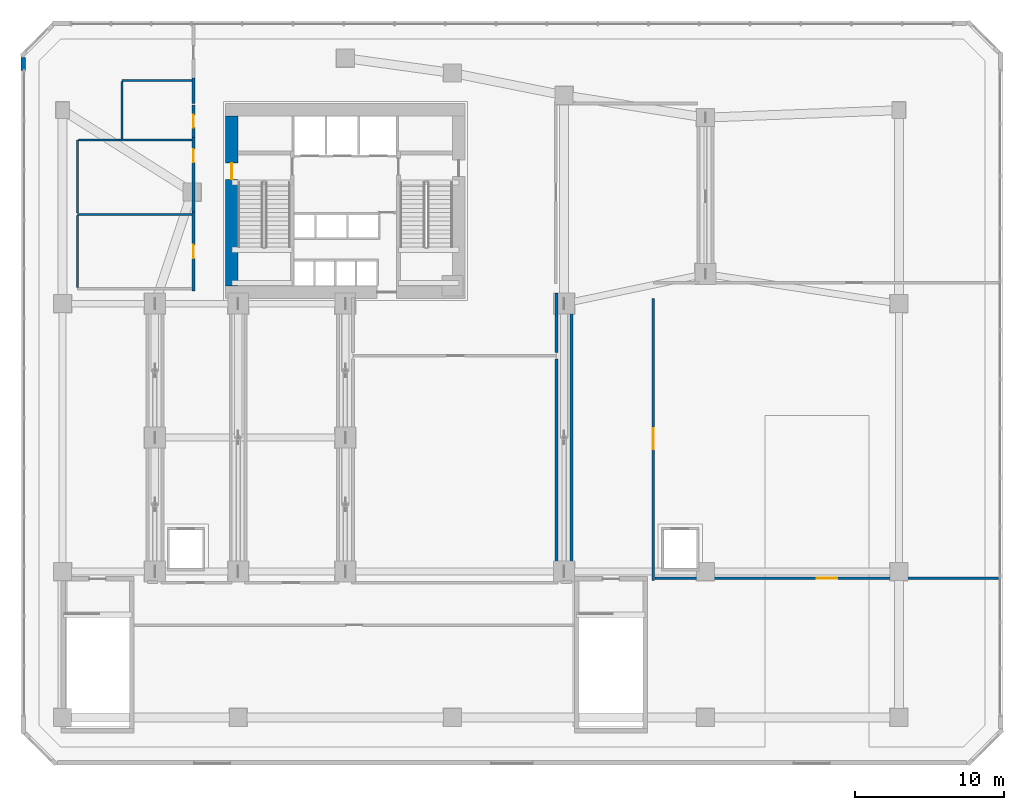
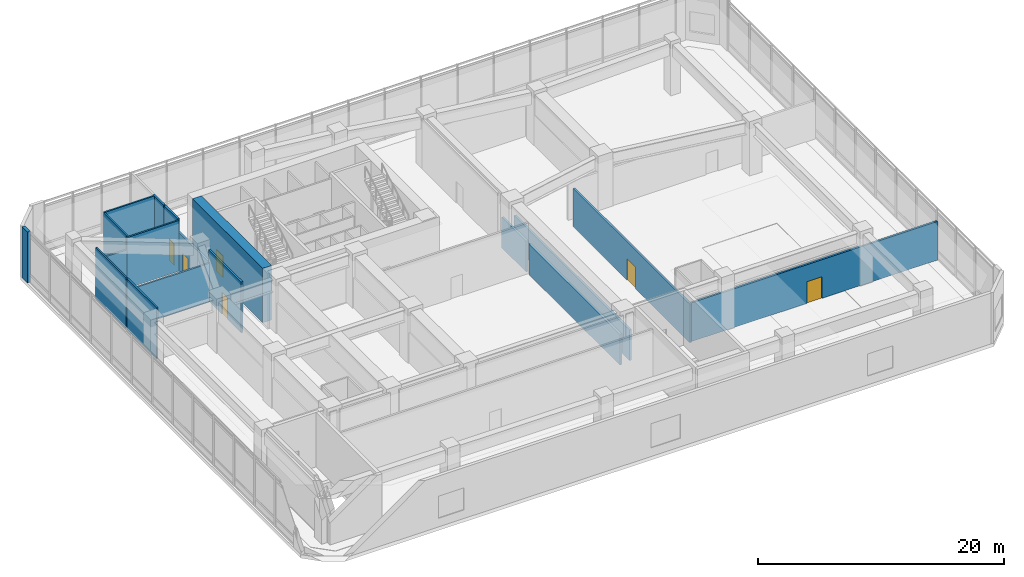
# One storey, part 17 of 21: 18 walls, 6 doors, 6 openings.
"""IFC4 building model written with IfcOpenShell, lengths in metres."""

from ifc_helpers import new_model, si_unit, direction, frame, frame_2d, origin, place, context, subcontext, project, spatial, rectangle, extrude, source, transform, mapped, material, layer, layer_set, type_object, element, fill, save


model = new_model("IFC4")

# Units and contexts
model_context = context("Model", 3, precision=1e-05, world=origin(), true_north=direction((0.0, 1.0)))
body_context = subcontext(model_context, "Body", "Model", "MODEL_VIEW")
ifc_project = project(units=[si_unit("LENGTHUNIT", "METRE"), si_unit("AREAUNIT", "SQUARE_METRE"), si_unit("VOLUMEUNIT", "CUBIC_METRE"), si_unit("PLANEANGLEUNIT", "RADIAN"), si_unit("MASSUNIT", "GRAM", prefix="KILO")], contexts=[model_context])

# Site, building, storey
site_placement = place(None, origin())
site = spatial("IfcSite", under=ifc_project, at=site_placement, CompositionType="ELEMENT")
building_placement = place(site_placement, origin())
building = spatial("IfcBuilding", under=site, at=building_placement, Name="Calvemar Wedge Station Tower", CompositionType="ELEMENT")
storey_placement = place(building_placement, frame((0.0, 0.0, 21.60009765625)))
storey = spatial("IfcBuildingStorey", under=building, at=storey_placement, Name="L05", CompositionType="ELEMENT", Elevation=21.60009765625)

# Wall, opening, door
ifc_material_1 = material(Name="Concrete C80", Category="concrete")
ifc_layer_1 = layer(ifc_material_1, 0.85009765625)
ifc_layer_set_1 = layer_set([ifc_layer_1], Name="Concrete C80")
wall_type_1 = type_object("IfcWallType", Name="SW-CORE-850", PredefinedType="SHEAR", material=ifc_layer_set_1)
wall_1_placement = place(storey_placement, frame((16.175048828125, 34.199951171875, 0.0), z_axis=(0.0, 0.0, 1.0), x_axis=(0.0, 1.0, 0.0)))
wall_1 = element("IfcWall", 1, at=wall_1_placement, inside=storey, type_object=wall_type_1, Name="Storey L05 Core Shear Wall W", PredefinedType="SHEAR", context=body_context, shape_type="SweptSolid", body=[
    extrude(rectangle(XDim=11.400146484375, YDim=0.85009765625, at=frame_2d((5.7001953125, 0.0))), origin(), (0.0, 0.0, 1.0), 5.39990234375),
])
shared_shape_1 = source(origin(), body_context, "Body", "SweptSolid", [
    extrude(rectangle(XDim=1.10009765625, YDim=2.14990234375, at=frame_2d((0.550048828125, 1.074951171875))), frame((0.0, 0.43505859375, 0.0), z_axis=(0.0, -1.0, 0.0), x_axis=(1.0, 0.0, 0.0)), (0.0, 0.0, 1.0), 0.8701171875),
])
opening_1_placement = place(wall_1_placement, frame((7.14990234375, 0.0, 0.0)))
opening_1 = element("IfcOpeningElement", 2, at=opening_1_placement, cuts=wall_1, Name="Opening FD-90", PredefinedType="OPENING", context=body_context, shape_type="MappedRepresentation", body=[
    mapped(shared_shape_1, transform((0.0, 0.0, 0.0), scale=1.0)),
])
ifc_material_2 = material(Name="Galvanized fire-rated steel door leaf P-90", Category="steel")
door_type_1 = type_object("IfcDoorType", Name="DR-FD90-1100", OperationType="NOTDEFINED", PredefinedType="DOOR", material=ifc_material_2)
shared_shape_2 = source(origin(), body_context, "Body", "SweptSolid", [
    extrude(rectangle(XDim=1.10009765625, YDim=2.14990234375, at=frame_2d((0.550048828125, 1.074951171875))), frame((0.0, 0.02490234375, 0.0), z_axis=(0.0, -1.0, 0.0), x_axis=(1.0, 0.0, 0.0)), (0.0, 0.0, 1.0), 0.050048828125),
])
door_1_placement = place(opening_1_placement, origin())
door_1 = element("IfcDoor", 3, at=door_1_placement, inside=storey, type_object=door_type_1, Name="L05 West Corridor to Exit Stair ST-C1 Door", OperationType="SINGLE_SWING_RIGHT", OverallHeight=2.14990234375, OverallWidth=1.10009765625, PredefinedType="DOOR", context=body_context, shape_type="MappedRepresentation", body=[
    mapped(shared_shape_2, transform((0.0, 0.0, 0.0), scale=1.0)),
])
fill(opening_1, door_1)

ifc_material_3 = material(Name="Double-stud fire-rated corridor partition")
ifc_layer_2 = layer(ifc_material_3, 0.179931640625)
ifc_layer_set_2 = layer_set([ifc_layer_2], Name="Double-stud fire-rated corridor partition")
wall_type_2 = type_object("IfcWallType", Name="W-CORR-180", PredefinedType="PARTITIONING", material=ifc_layer_set_2)
wall_2_placement = place(storey_placement, frame((44.5, 33.35009765625, 0.0), z_axis=(0.0, 0.0, 1.0), x_axis=(0.0, -1.0, 0.0)))
wall_2 = element("IfcWall", 4, at=wall_2_placement, inside=storey, type_object=wall_type_2, Name="Storey L05 Interior Partition WL-L05-007", PredefinedType="PARTITIONING", context=body_context, shape_type="SweptSolid", body=[
    extrude(rectangle(XDim=18.960205078125, YDim=0.179931640625, at=frame_2d((9.47998046875, 0.0))), origin(), (0.0, 0.0, 1.0), 3.822021484375),
])
shared_shape_3 = source(origin(), body_context, "Body", "SweptSolid", [
    extrude(rectangle(XDim=1.39990234375, YDim=2.14990234375, at=frame_2d((0.699951171875, 1.074951171875))), frame((0.0, 0.10009765625, 0.0), z_axis=(0.0, -1.0, 0.0), x_axis=(1.0, 0.0, 0.0)), (0.0, 0.0, 1.0), 0.199951171875),
])
opening_2_placement = place(wall_2_placement, frame((8.7197265625, 0.0, 0.0)))
opening_2 = element("IfcOpeningElement", 5, at=opening_2_placement, cuts=wall_2, Name="Opening DD-140", PredefinedType="OPENING", context=body_context, shape_type="MappedRepresentation", body=[
    mapped(shared_shape_3, transform((0.0, 0.0, 0.0), scale=1.0)),
])
ifc_material_4 = material(Name="Double-leaf corridor acoustic fire door EI 60")
door_type_2 = type_object("IfcDoorType", Name="DR-DBL-1400", OperationType="DOUBLE_DOOR_SINGLE_SWING", PredefinedType="DOOR", material=ifc_material_4)
shared_shape_4 = source(origin(), body_context, "Body", "SweptSolid", [
    extrude(rectangle(XDim=1.39990234375, YDim=2.14990234375, at=frame_2d((0.699951171875, 1.074951171875))), frame((0.0, 0.02490234375, 0.0), z_axis=(0.0, -1.0, 0.0), x_axis=(1.0, 0.0, 0.0)), (0.0, 0.0, 1.0), 0.050048828125),
])
door_2_placement = place(opening_2_placement, origin())
door_2 = element("IfcDoor", 6, at=door_2_placement, inside=storey, type_object=door_type_2, Name="L05 Wellness Fitness Hall Door", OperationType="SINGLE_SWING_LEFT", OverallHeight=2.14990234375, OverallWidth=1.39990234375, PredefinedType="DOOR", context=body_context, shape_type="MappedRepresentation", body=[
    mapped(shared_shape_4, transform((0.0, 0.0, 0.0), scale=1.0)),
])
fill(opening_2, door_2)

# Wall
wall_3_placement = place(storey_placement, frame((13.60009765625, 46.449951171875, 0.0), z_axis=(0.0, 0.0, 1.0), x_axis=(0.0, 1.0, 0.0)))
element("IfcWall", 7, at=wall_3_placement, inside=storey, type_object=wall_type_2, Name="Storey L05 Interior Partition WL-L05-009", PredefinedType="PARTITIONING", context=body_context, shape_type="SweptSolid", body=[
    extrude(rectangle(XDim=1.7099609375, YDim=0.179931640625, at=frame_2d((0.85498046875, 0.0))), origin(), (0.0, 0.0, 1.0), 5.0498046875),
])

# Wall, opening, door
wall_4_placement = place(storey_placement, frame((13.60009765625, 33.840087890625, 0.0), z_axis=(0.0, 0.0, 1.0), x_axis=(0.0, 1.0, 0.0)))
wall_4 = element("IfcWall", 8, at=wall_4_placement, inside=storey, type_object=wall_type_2, Name="Storey L05 Interior Partition WL-L05-012", PredefinedType="PARTITIONING", context=body_context, shape_type="SweptSolid", body=[
    extrude(rectangle(XDim=5.31982421875, YDim=0.179931640625, at=frame_2d((2.659912109375, 0.0))), origin(), (0.0, 0.0, 1.0), 5.0498046875),
])
shared_shape_5 = source(origin(), body_context, "Body", "SweptSolid", [
    extrude(rectangle(XDim=0.89990234375, YDim=2.14990234375, at=frame_2d((0.449951171875, 1.074951171875))), frame((0.0, 0.10009765625, 0.0), z_axis=(0.0, -1.0, 0.0), x_axis=(1.0, 0.0, 0.0)), (0.0, 0.0, 1.0), 0.199951171875),
])
opening_3_placement = place(wall_4_placement, frame((2.2099609375, 0.0, 0.0)))
opening_3 = element("IfcOpeningElement", 9, at=opening_3_placement, cuts=wall_4, Name="Opening D-01", PredefinedType="OPENING", context=body_context, shape_type="MappedRepresentation", body=[
    mapped(shared_shape_5, transform((0.0, 0.0, 0.0), scale=1.0)),
])
ifc_material_5 = material(Name="Architectural hardwood acoustic swing door", Category="wood")
door_type_3 = type_object("IfcDoorType", Name="DR-INT-900", OperationType="NOTDEFINED", PredefinedType="DOOR", material=ifc_material_5)
shared_shape_6 = source(origin(), body_context, "Body", "SweptSolid", [
    extrude(rectangle(XDim=0.89990234375, YDim=2.14990234375, at=frame_2d((0.449951171875, 1.074951171875))), frame((0.0, 0.02490234375, 0.0), z_axis=(0.0, -1.0, 0.0), x_axis=(1.0, 0.0, 0.0)), (0.0, 0.0, 1.0), 0.050048828125),
])
door_3_placement = place(opening_3_placement, origin())
door_3 = element("IfcDoor", 10, at=door_3_placement, inside=storey, type_object=door_type_3, Name="L05 Male Toilet Door", OperationType="SINGLE_SWING_LEFT", OverallHeight=2.14990234375, OverallWidth=0.89990234375, PredefinedType="DOOR", context=body_context, shape_type="MappedRepresentation", body=[
    mapped(shared_shape_6, transform((0.0, 0.0, 0.0), scale=1.0)),
])
fill(opening_3, door_3)

wall_5_placement = place(storey_placement, frame((13.60009765625, 39.162109375, 0.0), z_axis=(0.0, 0.0, 1.0), x_axis=(0.0, 1.0, 0.0)))
wall_5 = element("IfcWall", 11, at=wall_5_placement, inside=storey, type_object=wall_type_2, Name="Storey L05 Interior Partition WL-L05-013", PredefinedType="PARTITIONING", context=body_context, shape_type="SweptSolid", body=[
    extrude(rectangle(XDim=4.997802734375, YDim=0.179931640625, at=frame_2d((2.4990234375, 0.0))), origin(), (0.0, 0.0, 1.0), 3.841796875),
])
opening_4_placement = place(wall_5_placement, frame((3.330078125, 0.0, 0.0)))
opening_4 = element("IfcOpeningElement", 12, at=opening_4_placement, cuts=wall_5, Name="Opening D-01", PredefinedType="OPENING", context=body_context, shape_type="MappedRepresentation", body=[
    mapped(shared_shape_5, transform((0.0, 0.0, 0.0), scale=1.0)),
])
door_4_placement = place(opening_4_placement, origin())
door_4 = element("IfcDoor", 13, at=door_4_placement, inside=storey, type_object=door_type_3, Name="L05 Female Toilet Door", OperationType="SINGLE_SWING_RIGHT", OverallHeight=2.14990234375, OverallWidth=0.89990234375, PredefinedType="DOOR", context=body_context, shape_type="MappedRepresentation", body=[
    mapped(shared_shape_6, transform((0.0, 0.0, 0.0), scale=1.0)),
])
fill(opening_4, door_4)

wall_6_placement = place(storey_placement, frame((13.60009765625, 44.162109375, 0.0), z_axis=(0.0, 0.0, 1.0), x_axis=(0.0, 1.0, 0.0)))
wall_6 = element("IfcWall", 14, at=wall_6_placement, inside=storey, type_object=wall_type_2, Name="Storey L05 Interior Partition WL-L05-014", PredefinedType="PARTITIONING", context=body_context, shape_type="SweptSolid", body=[
    extrude(rectangle(XDim=2.19384765625, YDim=0.179931640625, at=frame_2d((1.096923828125, 0.0))), origin(), (0.0, 0.0, 1.0), 5.0498046875),
])
shared_shape_7 = source(origin(), body_context, "Body", "SweptSolid", [
    extrude(rectangle(XDim=0.85009765625, YDim=2.14990234375, at=frame_2d((0.425048828125, 1.074951171875))), frame((0.0, 0.10009765625, 0.0), z_axis=(0.0, -1.0, 0.0), x_axis=(1.0, 0.0, 0.0)), (0.0, 0.0, 1.0), 0.199951171875),
])
opening_5_placement = place(wall_6_placement, frame((0.672119140625, 0.0, 0.0)))
opening_5 = element("IfcOpeningElement", 15, at=opening_5_placement, cuts=wall_6, Name="Opening D-02", PredefinedType="OPENING", context=body_context, shape_type="MappedRepresentation", body=[
    mapped(shared_shape_7, transform((0.0, 0.0, 0.0), scale=1.0)),
])
ifc_material_6 = material(Name="Moisture-sealed bathroom hardwood swing door", Category="wood")
door_type_4 = type_object("IfcDoorType", Name="DR-WET-850", OperationType="NOTDEFINED", PredefinedType="DOOR", material=ifc_material_6)
shared_shape_8 = source(origin(), body_context, "Body", "SweptSolid", [
    extrude(rectangle(XDim=0.85009765625, YDim=2.14990234375, at=frame_2d((0.425048828125, 1.074951171875))), frame((0.0, 0.02490234375, 0.0), z_axis=(0.0, -1.0, 0.0), x_axis=(1.0, 0.0, 0.0)), (0.0, 0.0, 1.0), 0.050048828125),
])
door_5_placement = place(opening_5_placement, origin())
door_5 = element("IfcDoor", 16, at=door_5_placement, inside=storey, type_object=door_type_4, Name="L05 Accessible WC Door", OperationType="SINGLE_SWING_LEFT", OverallHeight=2.14990234375, OverallWidth=0.85009765625, PredefinedType="DOOR", context=body_context, shape_type="MappedRepresentation", body=[
    mapped(shared_shape_8, transform((0.0, 0.0, 0.0), scale=1.0)),
])
fill(opening_5, door_5)

wall_7_placement = place(storey_placement, frame((67.735107421875, 14.550048828125, 0.0), z_axis=(0.0, 0.0, 1.0), x_axis=(-1.0, 0.0, 0.0)))
wall_7 = element("IfcWall", 17, at=wall_7_placement, inside=storey, type_object=wall_type_2, Name="Storey L05 Interior Partition WL-L05-023", PredefinedType="PARTITIONING", context=body_context, shape_type="SweptSolid", body=[
    extrude(rectangle(XDim=23.14111328125, YDim=0.179931640625, at=frame_2d((11.570556640625, 0.0))), origin(), (0.0, 0.0, 1.0), 3.841796875),
])
opening_6_placement = place(wall_7_placement, frame((10.87060546875, 0.0, 0.0)))
opening_6 = element("IfcOpeningElement", 18, at=opening_6_placement, cuts=wall_7, Name="Opening DD-140", PredefinedType="OPENING", context=body_context, shape_type="MappedRepresentation", body=[
    mapped(shared_shape_3, transform((0.0, 0.0, 0.0), scale=1.0)),
])
door_6_placement = place(opening_6_placement, origin())
door_6 = element("IfcDoor", 19, at=door_6_placement, inside=storey, type_object=door_type_2, Name="L05 Hydrotherapy Wellness Hall Door", OperationType="SINGLE_SWING_RIGHT", OverallHeight=2.14990234375, OverallWidth=1.39990234375, PredefinedType="DOOR", context=body_context, shape_type="MappedRepresentation", body=[
    mapped(shared_shape_4, transform((0.0, 0.0, 0.0), scale=1.0)),
])
fill(opening_6, door_6)

# Walls
ifc_material_7 = material(Name="Precast concrete C45", Category="concrete")
ifc_layer_3 = layer(ifc_material_7, 0.300048828125)
ifc_layer_set_3 = layer_set([ifc_layer_3], Name="Precast concrete C45")
wall_type_3 = type_object("IfcWallType", Name="W-EXT-GFRC-300", PredefinedType="SOLIDWALL", material=ifc_layer_set_3)
wall_8_placement = place(storey_placement, frame((2.14990234375, 49.542724609375, 0.0), z_axis=(0.0, 0.0, 1.0), x_axis=(0.0, -1.0, 0.0)))
element("IfcWall", 20, at=wall_8_placement, inside=storey, type_object=wall_type_3, Name="Storey L05 Bronze GFRC Corner Pier 6A", PredefinedType="SOLIDWALL", context=body_context, shape_type="SweptSolid", body=[
    extrude(rectangle(XDim=0.87744140625, YDim=0.300048828125, at=frame_2d((0.438720703125, 0.0))), origin(), (0.0, 0.0, 1.0), 5.0498046875),
])
ifc_material_8 = material(Name="Concrete blockwork and fireboard shaft wall", Category="masonry")
ifc_layer_4 = layer(ifc_material_8, 0.199951171875)
ifc_layer_set_4 = layer_set([ifc_layer_4], Name="Concrete blockwork and fireboard shaft wall")
wall_type_4 = type_object("IfcWallType", Name="W-SHAFT-200", PredefinedType="SOLIDWALL", material=ifc_layer_set_4)
wall_9_placement = place(storey_placement, frame((39.0, 33.412353515625, 0.0), z_axis=(0.0, 0.0, 1.0), x_axis=(0.0, -1.0, 0.0)))
element("IfcWall", 21, at=wall_9_placement, inside=storey, type_object=wall_type_4, Name="Storey L05 Fire-Rated Truss Casing Wall WL-L05-034", PredefinedType="SOLIDWALL", context=body_context, shape_type="SweptSolid", body=[
    extrude(rectangle(XDim=18.77978515625, YDim=0.199951171875, at=frame_2d((9.389892578125, 0.0))), origin(), (0.0, 0.0, 1.0), 3.0419921875),
])
wall_10_placement = place(storey_placement, frame((38.0, 14.489990234375, 0.0), z_axis=(0.0, 0.0, 1.0), x_axis=(0.0, 1.0, 0.0)))
element("IfcWall", 22, at=wall_10_placement, inside=storey, type_object=wall_type_4, Name="Storey L05 Fire-Rated Truss Casing Wall WL-L05-036", PredefinedType="SOLIDWALL", context=body_context, shape_type="SweptSolid", body=[
    extrude(rectangle(XDim=14.775390625, YDim=0.199951171875, at=frame_2d((7.3876953125, 0.0))), origin(), (0.0, 0.0, 1.0), 3.0419921875),
])
wall_11_placement = place(storey_placement, frame((38.0, 29.734619140625, 0.0), z_axis=(0.0, 0.0, 1.0), x_axis=(0.0, 1.0, 0.0)))
element("IfcWall", 23, at=wall_11_placement, inside=storey, type_object=wall_type_4, Name="Storey L05 Fire-Rated Truss Casing Wall WL-L05-037", PredefinedType="SOLIDWALL", context=body_context, shape_type="SweptSolid", body=[
    extrude(rectangle(XDim=3.96533203125, YDim=0.199951171875, at=frame_2d((1.982666015625, 0.0))), origin(), (0.0, 0.0, 1.0), 3.0419921875),
])
ifc_material_9 = material(Name="Moisture-resistant acoustic bathroom partition")
ifc_layer_5 = layer(ifc_material_9, 0.14990234375)
ifc_layer_set_5 = layer_set([ifc_layer_5], Name="Moisture-resistant acoustic bathroom partition")
wall_type_5 = type_object("IfcWallType", Name="W-WET-150", PredefinedType="PARTITIONING", material=ifc_layer_set_5)
wall_12_placement = place(storey_placement, frame((5.800048828125, 39.0, 0.0), z_axis=(0.0, 0.0, 1.0), x_axis=(1.0, 0.0, 0.0)))
element("IfcWall", 24, at=wall_12_placement, inside=storey, type_object=wall_type_5, Name="Storey L05 Interior Partition WL-L05-015", PredefinedType="PARTITIONING", context=body_context, shape_type="SweptSolid", body=[
    extrude(rectangle(XDim=7.7060546875, YDim=0.14990234375, at=frame_2d((3.85302734375, 0.0))), origin(), (0.0, 0.0, 1.0), 3.841796875),
])
wall_13_placement = place(storey_placement, frame((5.800048828125, 34.0791015625, 0.0), z_axis=(0.0, 0.0, 1.0), x_axis=(0.0, 1.0, 0.0)))
element("IfcWall", 25, at=wall_13_placement, inside=storey, type_object=wall_type_5, Name="Storey L05 Interior Partition WL-L05-017", PredefinedType="PARTITIONING", context=body_context, shape_type="SweptSolid", body=[
    extrude(rectangle(XDim=4.841796875, YDim=0.14990234375, at=frame_2d((2.4208984375, 0.0))), origin(), (0.0, 0.0, 1.0), 5.0498046875),
])
wall_14_placement = place(storey_placement, frame((8.639892578125, 44.0, 0.0), z_axis=(0.0, 0.0, 1.0), x_axis=(1.0, 0.0, 0.0)))
element("IfcWall", 26, at=wall_14_placement, inside=storey, type_object=wall_type_5, Name="Storey L05 Interior Partition WL-L05-018", PredefinedType="PARTITIONING", context=body_context, shape_type="SweptSolid", body=[
    extrude(rectangle(XDim=4.8662109375, YDim=0.14990234375, at=frame_2d((2.43310546875, 0.0))), origin(), (0.0, 0.0, 1.0), 5.0498046875),
])
wall_15_placement = place(storey_placement, frame((5.800048828125, 39.0791015625, 0.0), z_axis=(0.0, 0.0, 1.0), x_axis=(0.0, 1.0, 0.0)))
element("IfcWall", 27, at=wall_15_placement, inside=storey, type_object=wall_type_5, Name="Storey L05 Interior Partition WL-L05-019", PredefinedType="PARTITIONING", context=body_context, shape_type="SweptSolid", body=[
    extrude(rectangle(XDim=4.9208984375, YDim=0.14990234375, at=frame_2d((2.46044921875, 0.0))), origin(), (0.0, 0.0, 1.0), 5.0498046875),
])
wall_16_placement = place(storey_placement, frame((5.87890625, 44.0, 0.0), z_axis=(0.0, 0.0, 1.0), x_axis=(1.0, 0.0, 0.0)))
element("IfcWall", 28, at=wall_16_placement, inside=storey, type_object=wall_type_5, Name="Storey L05 Interior Partition WL-L05-020", PredefinedType="PARTITIONING", context=body_context, shape_type="SweptSolid", body=[
    extrude(rectangle(XDim=2.759033203125, YDim=0.14990234375, at=frame_2d((1.37939453125, 0.0))), origin(), (0.0, 0.0, 1.0), 3.841796875),
])
wall_17_placement = place(storey_placement, frame((8.800048828125, 48.0, 0.0), z_axis=(0.0, 0.0, 1.0), x_axis=(1.0, 0.0, 0.0)))
element("IfcWall", 29, at=wall_17_placement, inside=storey, type_object=wall_type_5, Name="Storey L05 Interior Partition WL-L05-021", PredefinedType="PARTITIONING", context=body_context, shape_type="SweptSolid", body=[
    extrude(rectangle(XDim=4.7060546875, YDim=0.14990234375, at=frame_2d((2.35302734375, 0.0))), origin(), (0.0, 0.0, 1.0), 5.0498046875),
])
wall_18_placement = place(storey_placement, frame((8.800048828125, 44.0791015625, 0.0), z_axis=(0.0, 0.0, 1.0), x_axis=(0.0, 1.0, 0.0)))
element("IfcWall", 30, at=wall_18_placement, inside=storey, type_object=wall_type_5, Name="Storey L05 Interior Partition WL-L05-022", PredefinedType="PARTITIONING", context=body_context, shape_type="SweptSolid", body=[
    extrude(rectangle(XDim=3.841796875, YDim=0.14990234375, at=frame_2d((1.9208984375, 0.0))), origin(), (0.0, 0.0, 1.0), 5.0498046875),
])

save(model, "model.ifc")
